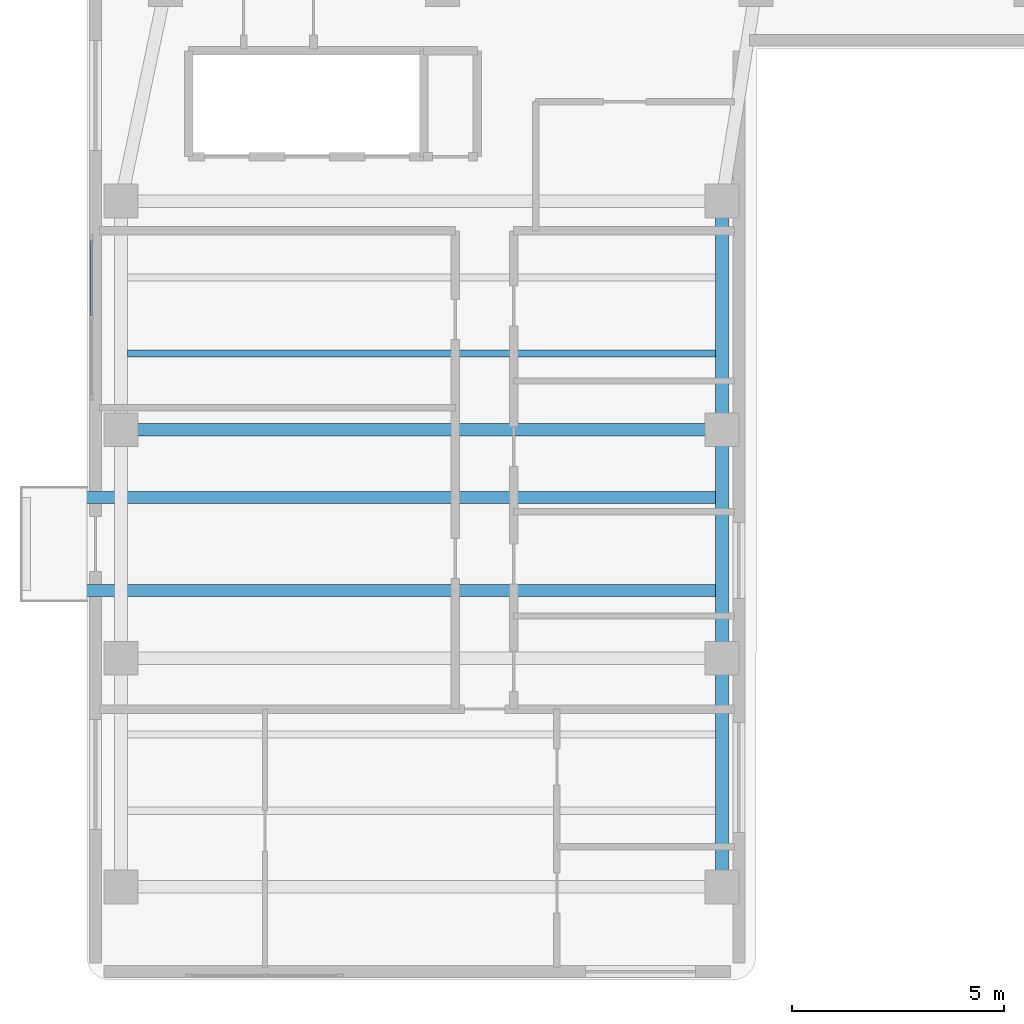
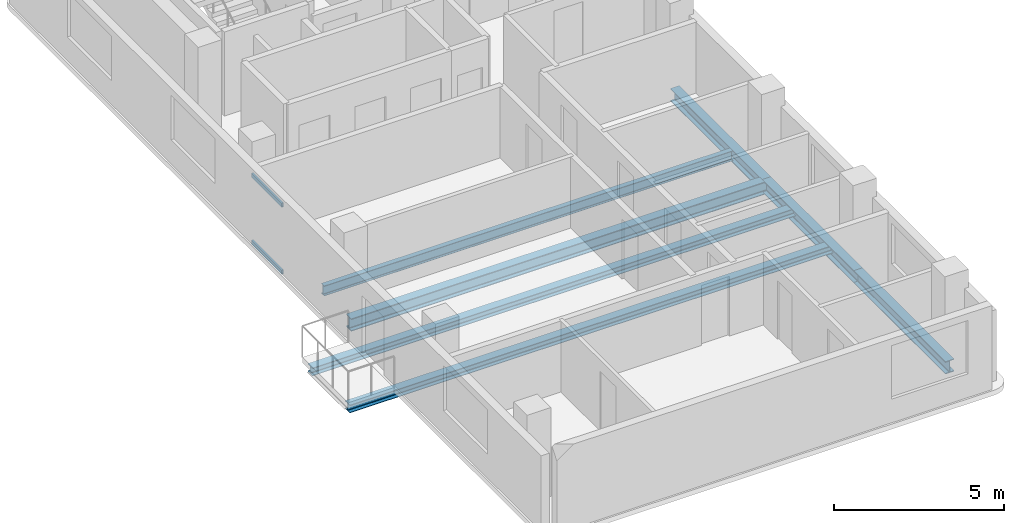
# One storey, part 4 of 9: 7 beams, 2 members, 1 element without a shape of its own.
"""IFC4 building model written with IfcOpenShell, lengths in metres."""

from ifc_helpers import new_model, si_unit, direction, frame, origin, origin_2d, place, context, subcontext, project, spatial, hollow_rectangle, i_section, extrude, material, material_profile, profile_set, type_object, element, aggregate, save


model = new_model("IFC4")

# Units and contexts
model_context = context("Model", 3, precision=1e-05, world=origin(), true_north=direction((0.0, 1.0)))
body_context = subcontext(model_context, "Body", "Model", "MODEL_VIEW")
ifc_project = project(units=[si_unit("LENGTHUNIT", "METRE"), si_unit("AREAUNIT", "SQUARE_METRE"), si_unit("VOLUMEUNIT", "CUBIC_METRE"), si_unit("PLANEANGLEUNIT", "RADIAN"), si_unit("MASSUNIT", "GRAM", prefix="KILO")], contexts=[model_context])

# Site, building, storey
site_placement = place(None, origin())
site = spatial("IfcSite", under=ifc_project, at=site_placement, CompositionType="ELEMENT")
building_placement = place(site_placement, origin())
building = spatial("IfcBuilding", under=site, at=building_placement, Name="Kuzgunbayir Cultural Tower", CompositionType="ELEMENT")
storey_placement = place(building_placement, frame((0.0, 0.0, 240.800048828125)))
storey = spatial("IfcBuildingStorey", under=building, at=storey_placement, Name="L71", CompositionType="ELEMENT", Elevation=240.800048828125)

# Beams
ifc_material_1 = material(Name="Steel S355J2", Category="steel")
ifc_material_profile_1 = material_profile(ifc_material_1, i_section(OverallWidth=0.280029296875, OverallDepth=0.280029296875, WebThickness=0.010498046875, FlangeThickness=0.01806640625, FilletRadius=0.02392578125, at=origin_2d()), Name="HEB 280")
ifc_profile_set_1 = profile_set([ifc_material_profile_1], Name="Steel S355J2")
beam_type_1 = type_object("IfcBeamType", Name="BM-BAL-HEB280", PredefinedType="BEAM", material=ifc_profile_set_1)
for number, where, z_axis, x_axis, name in (
    (1, (3.159912109375, 19.60009765625, -0.340087890625), (1.0, 0.0, 0.0), (0.0, 1.0, 0.0), "L71 Balcony Outrigger Beam BAL-L71-WA2.1"),
    (2, (3.159912109375, 21.800048828125, -0.340087890625), (1.0, 0.0, 0.0), (0.0, 1.0, 0.0), "L71 Balcony Outrigger Beam BAL-L71-WA2.2"),
):
    element("IfcBeam", number, at=place(storey_placement, frame(where, z_axis=z_axis, x_axis=x_axis)), inside=storey, type_object=beam_type_1, Name=name, PredefinedType="BEAM", context=body_context, shape_type="SweptSolid", body=[
        extrude(i_section(OverallWidth=0.280029296875, OverallDepth=0.280029296875, WebThickness=0.010498046875, FlangeThickness=0.01806640625, FilletRadius=0.02392578125, at=origin_2d()), origin(), (0.0, 0.0, 1.0), 16.440185546875),
    ])
ifc_material_profile_2 = material_profile(ifc_material_1, i_section(OverallWidth=0.300048828125, OverallDepth=0.449951171875, WebThickness=0.013916015625, FlangeThickness=0.02587890625, FilletRadius=0.027099609375, at=origin_2d()), Name="HEB 450")
ifc_profile_set_2 = profile_set([ifc_material_profile_2], Name="Steel S355J2")
beam_type_2 = type_object("IfcBeamType", Name="BM-EXT-HEB450", PredefinedType="BEAM", material=ifc_profile_set_2)
for number, where, z_axis, x_axis, name in (
    (3, (19.60009765625, 12.60009765625, -0.400146484375), (0.0, 1.0, 0.0), (-1.0, 0.0, 0.0), "L71 Wing A East Girder 1"),
    (4, (19.60009765625, 18.0, -0.400146484375), (0.0, 1.0, 0.0), (-1.0, 0.0, 0.0), "L71 Wing A East Girder 2"),
):
    element("IfcBeam", number, at=place(storey_placement, frame(where, z_axis=z_axis, x_axis=x_axis)), inside=storey, type_object=beam_type_2, Name=name, PredefinedType="BEAM", context=body_context, shape_type="SweptSolid", body=[
        extrude(i_section(OverallWidth=0.300048828125, OverallDepth=0.449951171875, WebThickness=0.013916015625, FlangeThickness=0.02587890625, FilletRadius=0.027099609375, at=origin_2d()), origin(), (0.0, 0.0, 1.0), 5.39990234375),
    ])
beam_1_placement = place(storey_placement, frame((19.60009765625, 23.39990234375, -0.400146484375), z_axis=(0.0, 1.0, 0.0), x_axis=(-1.0, 0.0, 0.0)))
element("IfcBeam", 5, at=beam_1_placement, inside=storey, type_object=beam_type_2, Name="L71 Wing A East Girder 3", PredefinedType="BEAM", context=body_context, shape_type="SweptSolid", body=[
    extrude(i_section(OverallWidth=0.300048828125, OverallDepth=0.449951171875, WebThickness=0.013916015625, FlangeThickness=0.02587890625, FilletRadius=0.027099609375, at=origin_2d()), origin(), (0.0, 0.0, 1.0), 5.400146484375),
])
ifc_material_profile_3 = material_profile(ifc_material_1, i_section(OverallWidth=0.300048828125, OverallDepth=0.449951171875, WebThickness=0.013916015625, FlangeThickness=0.02587890625, FilletRadius=0.027099609375, at=origin_2d()), Name="HEB 450")
ifc_profile_set_3 = profile_set([ifc_material_profile_3], Name="Steel S355J2")
beam_type_3 = type_object("IfcBeamType", Name="BM-GIR-HEB450", PredefinedType="BEAM", material=ifc_profile_set_3)
beam_2_placement = place(storey_placement, frame((5.39990234375, 23.39990234375, -0.400146484375), z_axis=(1.0, 0.0, 0.0), x_axis=(0.0, 1.0, 0.0)))
element("IfcBeam", 6, at=beam_2_placement, inside=storey, type_object=beam_type_3, Name="L71 Wing A Transverse Girder 3", PredefinedType="BEAM", context=body_context, shape_type="SweptSolid", body=[
    extrude(i_section(OverallWidth=0.300048828125, OverallDepth=0.449951171875, WebThickness=0.013916015625, FlangeThickness=0.02587890625, FilletRadius=0.027099609375, at=origin_2d()), origin(), (0.0, 0.0, 1.0), 14.2001953125),
])
ifc_material_profile_4 = material_profile(ifc_material_1, i_section(OverallWidth=0.169921875, OverallDepth=0.360107421875, WebThickness=0.008056640625, FlangeThickness=0.0126953125, FilletRadius=0.01806640625, at=origin_2d()), Name="IPE 360")
ifc_profile_set_4 = profile_set([ifc_material_profile_4], Name="Steel S355J2")
beam_type_4 = type_object("IfcBeamType", Name="BM-JST-IPE360", PredefinedType="JOIST", material=ifc_profile_set_4)
beam_3_placement = place(storey_placement, frame((5.550048828125, 25.199951171875, -0.360107421875), z_axis=(1.0, 0.0, 0.0), x_axis=(0.0, 1.0, 0.0)))
element("IfcBeam", 7, at=beam_3_placement, inside=storey, type_object=beam_type_4, Name="L71 Wing A Secondary Joist 5", PredefinedType="JOIST", context=body_context, shape_type="SweptSolid", body=[
    extrude(i_section(OverallWidth=0.169921875, OverallDepth=0.360107421875, WebThickness=0.008056640625, FlangeThickness=0.0126953125, FilletRadius=0.01806640625, at=origin_2d()), origin(), (0.0, 0.0, 1.0), 13.89990234375),
])

# Curtain wall, members
ifc_material_2 = material(Name="Anodised Aluminium Framing", Category="aluminium")
curtain_wall_type = type_object("IfcCurtainWallType", Name="CW06-OBSERVATORY", PredefinedType="NOTDEFINED", material=ifc_material_2)
curtain_wall_placement = place(storey_placement, origin())
curtain_wall = element("IfcCurtainWall", 8, at=curtain_wall_placement, inside=storey, type_object=curtain_wall_type, Name="L71 Crown Observatory West Curtain Wall", PredefinedType="NOTDEFINED")
ifc_material_profile_5 = material_profile(ifc_material_2, hollow_rectangle(XDim=0.06005859375, YDim=0.14990234375, WallThickness=0.00390625, at=origin_2d()), Name="RHS 150x60x4")
ifc_profile_set_5 = profile_set([ifc_material_profile_5], Name="Anodised Aluminium Framing")
member_type = type_object("IfcMemberType", Name="MEM-CW-TRANSOM-150", PredefinedType="USERDEFINED", material=ifc_profile_set_5)
member_1_placement = place(storey_placement, frame((4.699951171875, 26.08740234375, 0.030029296875), z_axis=(0.0, 1.0, 0.0), x_axis=(-1.0, 0.0, 0.0)))
member_1 = element("IfcMember", 9, at=member_1_placement, type_object=member_type, Name="CW06 transom 2.1", ObjectType="TRANSOM", PredefinedType="USERDEFINED", context=body_context, shape_type="SweptSolid", body=[
    extrude(hollow_rectangle(XDim=0.06005859375, YDim=0.14990234375, WallThickness=0.00390625, at=origin_2d()), origin(), (0.0, 0.0, 1.0), 1.78759765625),
])
member_2_placement = place(storey_placement, frame((4.699951171875, 26.08740234375, 2.43994140625), z_axis=(0.0, 1.0, 0.0), x_axis=(-1.0, 0.0, 0.0)))
member_2 = element("IfcMember", 10, at=member_2_placement, type_object=member_type, Name="CW06 transom 2.2", ObjectType="TRANSOM", PredefinedType="USERDEFINED", context=body_context, shape_type="SweptSolid", body=[
    extrude(hollow_rectangle(XDim=0.06005859375, YDim=0.14990234375, WallThickness=0.00390625, at=origin_2d()), origin(), (0.0, 0.0, 1.0), 1.78759765625),
])
aggregate(curtain_wall, [member_1, member_2])

save(model, "model.ifc")
